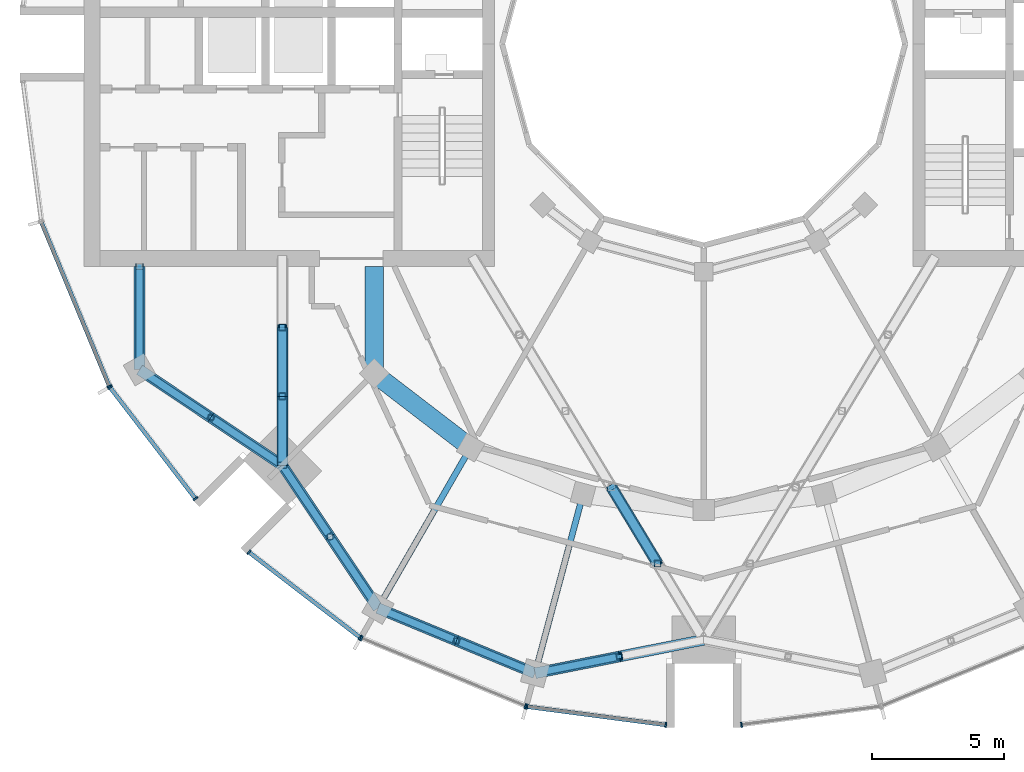
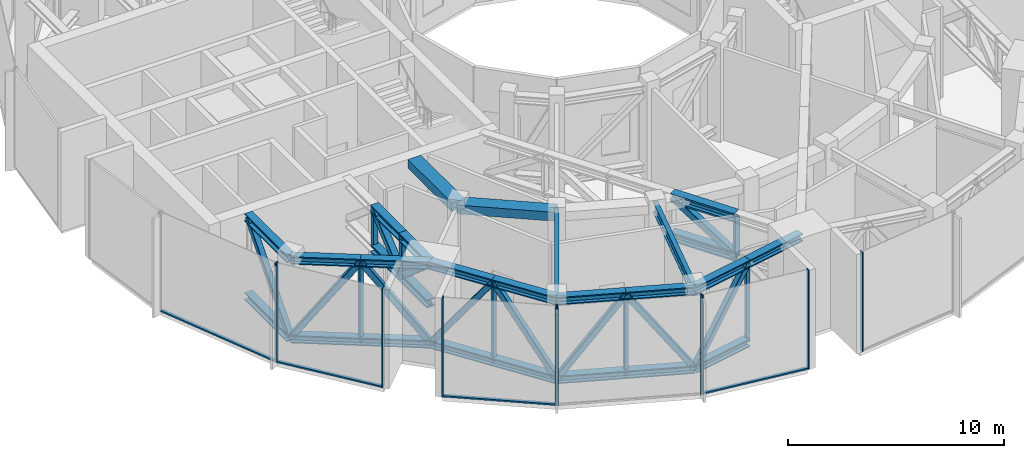
# One storey, part 2 of 18: 55 members, 4 beams, 6 elements without a shape of their own.
"""IFC4 building model written with IfcOpenShell, lengths in metres."""

from ifc_helpers import new_model, si_unit, direction, frame, origin, origin_2d, place, context, subcontext, project, spatial, rectangle, hollow_rectangle, i_section, extrude, material, layer, layer_set, material_profile, profile_set, type_object, element, aggregate, save


model = new_model("IFC4")

# Units and contexts
model_context = context("Model", 3, precision=1e-05, world=origin(), true_north=direction((0.0, 1.0)))
body_context = subcontext(model_context, "Body", "Model", "MODEL_VIEW")
ifc_project = project(units=[si_unit("LENGTHUNIT", "METRE"), si_unit("AREAUNIT", "SQUARE_METRE"), si_unit("VOLUMEUNIT", "CUBIC_METRE"), si_unit("PLANEANGLEUNIT", "RADIAN"), si_unit("MASSUNIT", "GRAM", prefix="KILO")], contexts=[model_context])

# Site, building, storey
site_placement = place(None, origin())
site = spatial("IfcSite", under=ifc_project, at=site_placement, CompositionType="ELEMENT")
building_placement = place(site_placement, origin())
building = spatial("IfcBuilding", under=site, at=building_placement, Name="Torre Brocal", CompositionType="ELEMENT")
storey_placement = place(building_placement, frame((0.0, 0.0, 206.89990234375)))
storey = spatial("IfcBuildingStorey", under=building, at=storey_placement, Name="L48", CompositionType="ELEMENT", Elevation=206.89990234375)

# Members
ifc_material_1 = material(Name="Steel A500 Grade C", Category="steel")
ifc_material_profile_1 = material_profile(ifc_material_1, hollow_rectangle(XDim=0.203125, YDim=0.203125, WallThickness=0.01171875, InnerFilletRadius=0.01171875, OuterFilletRadius=0.023681640625, at=origin_2d()), Name="HSS8X8X1/2")
ifc_profile_set_1 = profile_set([ifc_material_profile_1], Name="Steel A500 Grade C")
member_type_1 = type_object("IfcMemberType", Name="BELT 2 POST HSS8X8X1/2", PredefinedType="POST", material=ifc_profile_set_1)
for number, where, z_axis, x_axis, name in (
    (1, (61.392822265625, 60.89501953125, 0.6171875), (0.0, 0.0, 1.0), (1.0, 0.0, 0.0), "Member BT2-P11"),
    (2, (65.89501953125, 56.392822265625, 0.6171875), (0.0, 0.0, 1.0), (1.0, 0.0, 0.0), "Member BT2-P12"),
    (3, (70.66650390625, 52.467041015625, 0.6171875), (0.0, 0.0, 1.0), (1.0, 0.0, 0.0), "Member BT2-P13"),
    (4, (76.81640625, 51.869140625, 0.6171875), (0.0, 0.0, 1.0), (1.0, 0.0, 0.0), "Member BT2-P14"),
):
    element("IfcMember", number, at=place(storey_placement, frame(where, z_axis=z_axis, x_axis=x_axis)), inside=storey, type_object=member_type_1, Name=name, PredefinedType="POST", context=body_context, shape_type="SweptSolid", body=[
        extrude(hollow_rectangle(XDim=0.203125, YDim=0.203125, WallThickness=0.01171875, InnerFilletRadius=0.01171875, OuterFilletRadius=0.023681640625, at=origin_2d()), origin(), (0.0, 0.0, 1.0), 4.44580078125),
    ])

# Curtain wall, member
ifc_material_2 = material(Name="Aluminium and glass", Category="aluminium")
ifc_layer = layer(ifc_material_2, 0.199951171875)
ifc_layer_set = layer_set([ifc_layer], Name="Aluminium and glass")
curtain_wall_type = type_object("IfcCurtainWallType", Name="CW-1 CURTAIN WALL 5600 HIGH", PredefinedType="NOTDEFINED", material=ifc_layer_set)
curtain_wall_1_placement = place(storey_placement, origin())
curtain_wall_1 = element("IfcCurtainWall", 5, at=curtain_wall_1_placement, inside=storey, type_object=curtain_wall_type, Name="CW-1 RUN 14", PredefinedType="NOTDEFINED")
ifc_material_3 = material(Name="Aluminium, dark anodised", Category="aluminium")
ifc_material_profile_2 = material_profile(ifc_material_3, rectangle(XDim=0.199951171875, YDim=0.06005859375, at=origin_2d()), Name="CW-1 MULLION 60X200")
ifc_profile_set_2 = profile_set([ifc_material_profile_2], Name="Aluminium, dark anodised")
member_type_2 = type_object("IfcMemberType", Name="CW-1 MULLION 60X200", PredefinedType="MULLION", material=ifc_profile_set_2)
member_1_placement = place(storey_placement, frame((57.559326171875, 62.078125, 0.0), z_axis=(0.0, 0.0, 1.0), x_axis=(0.923879532525, 0.382683432333, 0.0)))
member_1 = element("IfcMember", 6, at=member_1_placement, type_object=member_type_2, Name="CW1-2 mullion 2", PredefinedType="MULLION", context=body_context, shape_type="SweptSolid", body=[
    extrude(rectangle(XDim=0.199951171875, YDim=0.06005859375, at=origin_2d()), origin(), (0.0, 0.0, 1.0), 5.60009765625),
])

# Curtain wall, members
curtain_wall_2_placement = place(storey_placement, origin())
curtain_wall_2 = element("IfcCurtainWall", 7, at=curtain_wall_2_placement, inside=storey, type_object=curtain_wall_type, Name="CW-1 RUN 15", PredefinedType="NOTDEFINED")
member_2_placement = place(storey_placement, frame((57.5888671875, 62.026611328125, 0.0), z_axis=(0.0, 0.0, 1.0), x_axis=(0.793353340259, 0.60876142905, 0.0)))
member_2 = element("IfcMember", 8, at=member_2_placement, type_object=member_type_2, Name="CW1-2 mullion 1", PredefinedType="MULLION", context=body_context, shape_type="SweptSolid", body=[
    extrude(rectangle(XDim=0.199951171875, YDim=0.06005859375, at=origin_2d()), origin(), (0.0, 0.0, 1.0), 5.60009765625),
])
member_3_placement = place(storey_placement, frame((60.80859375, 57.83056640625, 0.0), z_axis=(0.0, 0.0, 1.0), x_axis=(0.793353340259, 0.60876142905, 0.0)))
member_3 = element("IfcMember", 9, at=member_3_placement, type_object=member_type_2, Name="CW1-2 mullion 2", PredefinedType="MULLION", context=body_context, shape_type="SweptSolid", body=[
    extrude(rectangle(XDim=0.199951171875, YDim=0.06005859375, at=origin_2d()), origin(), (0.0, 0.0, 1.0), 5.60009765625),
])

curtain_wall_3_placement = place(storey_placement, origin())
curtain_wall_3 = element("IfcCurtainWall", 10, at=curtain_wall_3_placement, inside=storey, type_object=curtain_wall_type, Name="CW-1 RUN 16", PredefinedType="NOTDEFINED")
member_4_placement = place(storey_placement, frame((62.83056640625, 55.80859375, 0.0), z_axis=(0.0, 0.0, 1.0), x_axis=(0.60876142905, 0.793353340259, 0.0)))
member_4 = element("IfcMember", 11, at=member_4_placement, type_object=member_type_2, Name="CW1-2 mullion 1", PredefinedType="MULLION", context=body_context, shape_type="SweptSolid", body=[
    extrude(rectangle(XDim=0.199951171875, YDim=0.06005859375, at=origin_2d()), origin(), (0.0, 0.0, 1.0), 5.60009765625),
])
member_5_placement = place(storey_placement, frame((67.026611328125, 52.5888671875, 0.0), z_axis=(0.0, 0.0, 1.0), x_axis=(0.60876142905, 0.793353340259, 0.0)))
member_5 = element("IfcMember", 12, at=member_5_placement, type_object=member_type_2, Name="CW1-2 mullion 2", PredefinedType="MULLION", context=body_context, shape_type="SweptSolid", body=[
    extrude(rectangle(XDim=0.199951171875, YDim=0.06005859375, at=origin_2d()), origin(), (0.0, 0.0, 1.0), 5.60009765625),
])

curtain_wall_4_placement = place(storey_placement, origin())
curtain_wall_4 = element("IfcCurtainWall", 13, at=curtain_wall_4_placement, inside=storey, type_object=curtain_wall_type, Name="CW-1 RUN 17", PredefinedType="NOTDEFINED")
member_6_placement = place(storey_placement, frame((67.078125, 52.559326171875, 0.0), z_axis=(0.0, 0.0, 1.0), x_axis=(0.382683432333, 0.923879532525, 0.0)))
member_6 = element("IfcMember", 14, at=member_6_placement, type_object=member_type_2, Name="CW1-2 mullion 1", PredefinedType="MULLION", context=body_context, shape_type="SweptSolid", body=[
    extrude(rectangle(XDim=0.199951171875, YDim=0.06005859375, at=origin_2d()), origin(), (0.0, 0.0, 1.0), 5.60009765625),
])
member_7_placement = place(storey_placement, frame((73.26904296875, 49.994873046875, 0.0), z_axis=(0.0, 0.0, 1.0), x_axis=(0.382683432333, 0.923879532525, 0.0)))
member_7 = element("IfcMember", 15, at=member_7_placement, type_object=member_type_2, Name="CW1-2 mullion 2", PredefinedType="MULLION", context=body_context, shape_type="SweptSolid", body=[
    extrude(rectangle(XDim=0.199951171875, YDim=0.06005859375, at=origin_2d()), origin(), (0.0, 0.0, 1.0), 5.60009765625),
])
aggregate(curtain_wall_4, [member_6, member_7])

curtain_wall_5_placement = place(storey_placement, origin())
curtain_wall_5 = element("IfcCurtainWall", 16, at=curtain_wall_5_placement, inside=storey, type_object=curtain_wall_type, Name="CW-1 RUN 18", PredefinedType="NOTDEFINED")
member_8_placement = place(storey_placement, frame((73.32666015625, 49.9794921875, 0.0), z_axis=(0.0, 0.0, 1.0), x_axis=(0.13052619222, 0.991444861374, 0.0)))
member_8 = element("IfcMember", 17, at=member_8_placement, type_object=member_type_2, Name="CW1-2 mullion 1", PredefinedType="MULLION", context=body_context, shape_type="SweptSolid", body=[
    extrude(rectangle(XDim=0.199951171875, YDim=0.06005859375, at=origin_2d()), origin(), (0.0, 0.0, 1.0), 5.60009765625),
])
member_9_placement = place(storey_placement, frame((78.5703125, 49.2890625, 0.0), z_axis=(0.0, 0.0, 1.0), x_axis=(0.13052619222, 0.991444861374, 0.0)))
member_9 = element("IfcMember", 18, at=member_9_placement, type_object=member_type_2, Name="CW1-2 mullion 2", PredefinedType="MULLION", context=body_context, shape_type="SweptSolid", body=[
    extrude(rectangle(XDim=0.199951171875, YDim=0.06005859375, at=origin_2d()), origin(), (0.0, 0.0, 1.0), 5.60009765625),
])

# Curtain wall, member
curtain_wall_6_placement = place(storey_placement, origin())
curtain_wall_6 = element("IfcCurtainWall", 19, at=curtain_wall_6_placement, inside=storey, type_object=curtain_wall_type, Name="CW-1 RUN 19", PredefinedType="NOTDEFINED")
member_10_placement = place(storey_placement, frame((81.4296875, 49.2890625, 0.0), z_axis=(0.0, 0.0, 1.0), x_axis=(-0.13052619222, 0.991444861374, 0.0)))
member_10 = element("IfcMember", 20, at=member_10_placement, type_object=member_type_2, Name="CW1-2 mullion 1", PredefinedType="MULLION", context=body_context, shape_type="SweptSolid", body=[
    extrude(rectangle(XDim=0.199951171875, YDim=0.06005859375, at=origin_2d()), origin(), (0.0, 0.0, 1.0), 5.60009765625),
])
aggregate(curtain_wall_6, [member_10])

# Member
ifc_material_4 = material(Name="Aluminium, dark anodised", Category="aluminium")
ifc_material_profile_3 = material_profile(ifc_material_4, rectangle(XDim=0.159912109375, YDim=0.080078125, at=origin_2d()), Name="CW-1 TRANSOM 160X80")
ifc_profile_set_3 = profile_set([ifc_material_profile_3], Name="Aluminium, dark anodised")
member_type_3 = type_object("IfcMemberType", Name="CW-1 TRANSOM 160X80", PredefinedType="USERDEFINED", material=ifc_profile_set_3)
member_11_placement = place(storey_placement, frame((55.00634765625, 68.241455078125, 0.0400390625), z_axis=(0.38266457234, -0.923887344364, 0.0), x_axis=(0.923887344364, 0.38266457234, 0.0)))
member_11 = element("IfcMember", 21, at=member_11_placement, type_object=member_type_3, Name="CW1-2 transom 1.1", ObjectType="TRANSOM", PredefinedType="USERDEFINED", context=body_context, shape_type="SweptSolid", body=[
    extrude(rectangle(XDim=0.159912109375, YDim=0.080078125, at=origin_2d()), origin(), (0.0, 0.0, 1.0), 6.640869140625),
])

aggregate(curtain_wall_1, [member_1, member_11])

member_12_placement = place(storey_placement, frame((57.607177734375, 62.0029296875, 0.0400390625), z_axis=(0.60874908096, -0.79336281513, 0.0), x_axis=(0.79336281513, 0.60874908096, 0.0)))
member_12 = element("IfcMember", 22, at=member_12_placement, type_object=member_type_3, Name="CW1-2 transom 1.1", ObjectType="TRANSOM", PredefinedType="USERDEFINED", context=body_context, shape_type="SweptSolid", body=[
    extrude(rectangle(XDim=0.159912109375, YDim=0.080078125, at=origin_2d()), origin(), (0.0, 0.0, 1.0), 5.22900390625),
])

aggregate(curtain_wall_2, [member_2, member_3, member_12])

member_13_placement = place(storey_placement, frame((62.8544921875, 55.790283203125, 0.0400390625), z_axis=(0.79336281513, -0.60874908096, 0.0), x_axis=(0.60874908096, 0.79336281513, 0.0)))
member_13 = element("IfcMember", 23, at=member_13_placement, type_object=member_type_3, Name="CW1-2 transom 1.1", ObjectType="TRANSOM", PredefinedType="USERDEFINED", context=body_context, shape_type="SweptSolid", body=[
    extrude(rectangle(XDim=0.159912109375, YDim=0.080078125, at=origin_2d()), origin(), (0.0, 0.0, 1.0), 5.22900390625),
])

aggregate(curtain_wall_3, [member_4, member_5, member_13])

member_14_placement = place(storey_placement, frame((73.356201171875, 49.9755859375, 0.0400390625), z_axis=(0.991442690863, -0.130542677827, 0.0), x_axis=(0.130542677827, 0.991442690863, 0.0)))
member_14 = element("IfcMember", 24, at=member_14_placement, type_object=member_type_3, Name="CW1-2 transom 1.1", ObjectType="TRANSOM", PredefinedType="USERDEFINED", context=body_context, shape_type="SweptSolid", body=[
    extrude(rectangle(XDim=0.159912109375, YDim=0.080078125, at=origin_2d()), origin(), (0.0, 0.0, 1.0), 5.22900390625),
])

aggregate(curtain_wall_5, [member_8, member_9, member_14])

# Members
ifc_material_5 = material(Name="Steel A500 Grade C", Category="steel")
ifc_material_profile_4 = material_profile(ifc_material_5, hollow_rectangle(XDim=0.25390625, YDim=0.25390625, WallThickness=0.01171875, InnerFilletRadius=0.01171875, OuterFilletRadius=0.023681640625, at=origin_2d()), Name="HSS10X10X1/2")
ifc_profile_set_4 = profile_set([ifc_material_profile_4], Name="Steel A500 Grade C")
member_type_4 = type_object("IfcMemberType", Name="OUTRIGGER 2 POST HSS10X10X1/2", PredefinedType="POST", material=ifc_profile_set_4)
for number, where, z_axis, x_axis, name in (
    (25, (64.090087890625, 64.296630859375, 2.83251953125), (0.0, 0.0, 1.0), (1.0, 0.0, 0.0), "Member OT2-P13"),
    (26, (64.090087890625, 61.693359375, 2.83251953125), (0.0, 0.0, 1.0), (1.0, 0.0, 0.0), "Member OT2-P14"),
):
    element("IfcMember", number, at=place(storey_placement, frame(where, z_axis=z_axis, x_axis=x_axis)), inside=storey, type_object=member_type_4, Name=name, PredefinedType="POST", context=body_context, shape_type="SweptSolid", body=[
        extrude(hollow_rectangle(XDim=0.25390625, YDim=0.25390625, WallThickness=0.01171875, InnerFilletRadius=0.01171875, OuterFilletRadius=0.023681640625, at=origin_2d()), origin(), (0.0, 0.0, 1.0), 2.215087890625),
    ])
member_15_placement = place(storey_placement, frame((78.260009765625, 55.3798828125, 2.848876953125), z_axis=(0.0, 0.0, 1.0), x_axis=(1.0, 0.0, 0.0)))
element("IfcMember", 27, at=member_15_placement, inside=storey, type_object=member_type_4, Name="Member OT2-P22", PredefinedType="POST", context=body_context, shape_type="SweptSolid", body=[
    extrude(hollow_rectangle(XDim=0.25390625, YDim=0.25390625, WallThickness=0.01171875, InnerFilletRadius=0.01171875, OuterFilletRadius=0.023681640625, at=origin_2d()), origin(), (0.0, 0.0, 1.0), 2.182373046875),
])

# Beams
ifc_material_6 = material(Name="Steel A992", Category="steel")
ifc_material_profile_5 = material_profile(ifc_material_6, i_section(OverallWidth=0.22900390625, OverallDepth=0.612060546875, WebThickness=0.011962890625, FlangeThickness=0.01953125, at=origin_2d()), Name="W24X84")
ifc_profile_set_5 = profile_set([ifc_material_profile_5], Name="Steel A992")
beam_type_1 = type_object("IfcBeamType", Name="PLANT FLOOR BEAM TOP 5280 W24X84", PredefinedType="BEAM", material=ifc_profile_set_5)
for number, where, z_axis, x_axis, name in (
    (28, (71.199951171875, 59.758056640625, 4.97412109375), (-0.499995173006, -0.866028190633, 0.0), (0.866028190633, -0.499995173006, 0.0), "Beam SF-02"),
    (29, (75.44482421875, 57.999755859375, 4.97412109375), (-0.258823832372, -0.965924543531, 0.0), (0.965924543531, -0.258823832372, 0.0), "Beam SF-02"),
):
    element("IfcBeam", number, at=place(storey_placement, frame(where, z_axis=z_axis, x_axis=x_axis)), inside=storey, type_object=beam_type_1, Name=name, PredefinedType="BEAM", context=body_context, shape_type="SweptSolid", body=[
        extrude(i_section(OverallWidth=0.22900390625, OverallDepth=0.612060546875, WebThickness=0.011962890625, FlangeThickness=0.01953125, at=origin_2d()), origin(), (0.0, 0.0, 1.0), 7.0),
    ])
ifc_material_7 = material(Name="Concrete C50", Category="concrete")
ifc_material_profile_6 = material_profile(ifc_material_7, rectangle(XDim=0.699951171875, YDim=0.5, at=origin_2d()), Name="RC 700X500")
ifc_profile_set_6 = profile_set([ifc_material_profile_6], Name="Concrete C50")
beam_type_2 = type_object("IfcBeamType", Name="RC BEAM 700X500 C50 TOP 5280", PredefinedType="BEAM", material=ifc_profile_set_6)
beam_1_placement = place(storey_placement, frame((67.554931640625, 62.554931640625, 5.030029296875), z_axis=(0.0, 1.0, 0.0), x_axis=(-1.0, 0.0, 0.0)))
element("IfcBeam", 30, at=beam_1_placement, inside=storey, type_object=beam_type_2, Name="Beam BT-36", PredefinedType="BEAM", context=body_context, shape_type="SweptSolid", body=[
    extrude(rectangle(XDim=0.699951171875, YDim=0.5, at=origin_2d()), origin(), (0.0, 0.0, 1.0), 4.045166015625),
])
beam_2_placement = place(storey_placement, frame((67.554931640625, 62.554931640625, 5.030029296875), z_axis=(0.793358265959, -0.6087550097, 0.0), x_axis=(0.6087550097, 0.793358265959, 0.0)))
element("IfcBeam", 31, at=beam_2_placement, inside=storey, type_object=beam_type_2, Name="Beam BT-36", PredefinedType="BEAM", context=body_context, shape_type="SweptSolid", body=[
    extrude(rectangle(XDim=0.699951171875, YDim=0.5, at=origin_2d()), origin(), (0.0, 0.0, 1.0), 4.594482421875),
])

# Members
ifc_material_8 = material(Name="Steel A992", Category="steel")
ifc_material_profile_7 = material_profile(ifc_material_8, i_section(OverallWidth=0.41162109375, OverallDepth=0.434326171875, WebThickness=0.035888671875, FlangeThickness=0.057373046875, at=origin_2d()), Name="W14X311")
ifc_profile_set_7 = profile_set([ifc_material_profile_7], Name="Steel A992")
member_type_5 = type_object("IfcMemberType", Name="TRUSS BOTTOM CHORD W14X311", PredefinedType="CHORD", material=ifc_profile_set_7)
member_16_placement = place(storey_placement, frame((58.69580078125, 62.699951171875, 0.6171875), z_axis=(0.0, 1.0, 0.0), x_axis=(-1.0, 0.0, 0.0)))
element("IfcMember", 32, at=member_16_placement, inside=storey, type_object=member_type_5, Name="Member BT2-C36", PredefinedType="CHORD", context=body_context, shape_type="SweptSolid", body=[
    extrude(i_section(OverallWidth=0.41162109375, OverallDepth=0.434326171875, WebThickness=0.035888671875, FlangeThickness=0.057373046875, at=origin_2d()), origin(), (0.0, 0.0, 1.0), 3.900146484375),
])
for number, where, z_axis, x_axis, name in (
    (33, (58.69580078125, 62.699951171875, 0.6171875), (0.831065209559, -0.556174988166, 0.0), (0.556174988166, 0.831065209559, 0.0), "Member BT2-C38"),
    (34, (61.392822265625, 60.89501953125, 0.6171875), (0.831088478302, -0.556140217242, 0.0), (0.556140217242, 0.831088478302, 0.0), "Member BT2-C40"),
    (35, (64.090087890625, 59.090087890625, 0.6171875), (0.556140217242, -0.831088478302, 0.0), (0.831088478302, 0.556140217242, 0.0), "Member BT2-C42"),
    (36, (65.89501953125, 56.392822265625, 0.6171875), (0.556174988166, -0.831065209559, 0.0), (0.831065209559, 0.556174988166, 0.0), "Member BT2-C44"),
):
    element("IfcMember", number, at=place(storey_placement, frame(where, z_axis=z_axis, x_axis=x_axis)), inside=storey, type_object=member_type_5, Name=name, PredefinedType="CHORD", context=body_context, shape_type="SweptSolid", body=[
        extrude(i_section(OverallWidth=0.41162109375, OverallDepth=0.434326171875, WebThickness=0.035888671875, FlangeThickness=0.057373046875, at=origin_2d()), origin(), (0.0, 0.0, 1.0), 3.245361328125),
    ])
for number, where, z_axis, x_axis, name in (
    (37, (67.699951171875, 53.69580078125, 0.6171875), (0.923882462513, -0.382676358639, 0.0), (0.382676358639, 0.923882462513, 0.0), "Member BT2-C46"),
    (38, (70.66650390625, 52.467041015625, 0.6171875), (0.923882462513, -0.382676358639, 0.0), (0.382676358639, 0.923882462513, 0.0), "Member BT2-C48"),
):
    element("IfcMember", number, at=place(storey_placement, frame(where, z_axis=z_axis, x_axis=x_axis)), inside=storey, type_object=member_type_5, Name=name, PredefinedType="CHORD", context=body_context, shape_type="SweptSolid", body=[
        extrude(i_section(OverallWidth=0.41162109375, OverallDepth=0.434326171875, WebThickness=0.035888671875, FlangeThickness=0.057373046875, at=origin_2d()), origin(), (0.0, 0.0, 1.0), 3.2109375),
    ])
member_17_placement = place(storey_placement, frame((73.633056640625, 51.23828125, 0.6171875), z_axis=(0.980923486126, 0.194394224108, 0.0), x_axis=(-0.194394224108, 0.980923486126, 0.0)))
element("IfcMember", 39, at=member_17_placement, inside=storey, type_object=member_type_5, Name="Member BT2-C50", PredefinedType="CHORD", context=body_context, shape_type="SweptSolid", body=[
    extrude(i_section(OverallWidth=0.41162109375, OverallDepth=0.434326171875, WebThickness=0.035888671875, FlangeThickness=0.057373046875, at=origin_2d()), origin(), (0.0, 0.0, 1.0), 3.245361328125),
])
ifc_material_9 = material(Name="Steel A992", Category="steel")
ifc_material_profile_8 = material_profile(ifc_material_9, i_section(OverallWidth=0.421630859375, OverallDepth=0.46484375, WebThickness=0.044921875, FlangeThickness=0.072509765625, at=origin_2d()), Name="W14X398")
ifc_profile_set_8 = profile_set([ifc_material_profile_8], Name="Steel A992")
member_type_6 = type_object("IfcMemberType", Name="TRUSS BOTTOM CHORD W14X398", PredefinedType="CHORD", material=ifc_profile_set_8)
for number, where, z_axis, x_axis, name in (
    (40, (64.090087890625, 64.296630859375, 2.83251953125), (0.0, -1.0, 0.0), (1.0, 0.0, 0.0), "Member OT2-C36"),
    (41, (64.090087890625, 61.693359375, 2.83251953125), (0.0, -1.0, 0.0), (1.0, 0.0, 0.0), "Member OT2-C38"),
):
    element("IfcMember", number, at=place(storey_placement, frame(where, z_axis=z_axis, x_axis=x_axis)), inside=storey, type_object=member_type_6, Name=name, PredefinedType="CHORD", context=body_context, shape_type="SweptSolid", body=[
        extrude(i_section(OverallWidth=0.421630859375, OverallDepth=0.46484375, WebThickness=0.044921875, FlangeThickness=0.072509765625, at=origin_2d()), origin(), (0.0, 0.0, 1.0), 2.603271484375),
    ])
ifc_material_10 = material(Name="Steel A992", Category="steel")
ifc_material_profile_9 = material_profile(ifc_material_10, i_section(OverallWidth=0.431884765625, OverallDepth=0.497802734375, WebThickness=0.0556640625, FlangeThickness=0.0888671875, at=origin_2d()), Name="W14X500")
ifc_profile_set_9 = profile_set([ifc_material_profile_9], Name="Steel A992")
member_type_7 = type_object("IfcMemberType", Name="TRUSS BOTTOM CHORD W14X500", PredefinedType="CHORD", material=ifc_profile_set_9)
member_18_placement = place(storey_placement, frame((76.52001953125, 58.260009765625, 2.848876953125), z_axis=(0.517096814817, -0.855926915167, 0.0), x_axis=(0.855926915167, 0.517096814817, 0.0)))
element("IfcMember", 42, at=member_18_placement, inside=storey, type_object=member_type_7, Name="Member OT2-C56", PredefinedType="CHORD", context=body_context, shape_type="SweptSolid", body=[
    extrude(i_section(OverallWidth=0.431884765625, OverallDepth=0.497802734375, WebThickness=0.0556640625, FlangeThickness=0.0888671875, at=origin_2d()), origin(), (0.0, 0.0, 1.0), 3.364990234375),
])
ifc_material_11 = material(Name="Steel A500 Grade C", Category="steel")
ifc_material_profile_10 = material_profile(ifc_material_11, hollow_rectangle(XDim=0.3046875, YDim=0.3046875, WallThickness=0.014892578125, InnerFilletRadius=0.014892578125, OuterFilletRadius=0.029541015625, at=origin_2d()), Name="HSS12X12X5/8")
ifc_profile_set_10 = profile_set([ifc_material_profile_10], Name="Steel A500 Grade C")
member_type_8 = type_object("IfcMemberType", Name="TRUSS DIAGONAL HSS12X12X5/8", PredefinedType="BRACE", material=ifc_profile_set_10)
member_19_placement = place(storey_placement, frame((58.69580078125, 62.699951171875, 0.6171875), z_axis=(0.0, 0.659468514834, 0.751732184985), x_axis=(-1.0, 0.0, 0.0)))
element("IfcMember", 43, at=member_19_placement, inside=storey, type_object=member_type_8, Name="Member BT2-D18", PredefinedType="BRACE", context=body_context, shape_type="SweptSolid", body=[
    extrude(hollow_rectangle(XDim=0.3046875, YDim=0.3046875, WallThickness=0.014892578125, InnerFilletRadius=0.014892578125, OuterFilletRadius=0.029541015625, at=origin_2d()), origin(), (0.0, 0.0, 1.0), 5.9140625),
])
member_20_placement = place(storey_placement, frame((58.69580078125, 62.699951171875, 0.6171875), z_axis=(0.489988270821, -0.327915568587, 0.807702218851), x_axis=(0.556174988166, 0.831065209559, 0.0)))
element("IfcMember", 44, at=member_20_placement, inside=storey, type_object=member_type_8, Name="Member BT2-D19", PredefinedType="BRACE", context=body_context, shape_type="SweptSolid", body=[
    extrude(hollow_rectangle(XDim=0.3046875, YDim=0.3046875, WallThickness=0.014892578125, InnerFilletRadius=0.014892578125, OuterFilletRadius=0.029541015625, at=origin_2d()), origin(), (0.0, 0.0, 1.0), 5.504150390625),
])
for number, where, z_axis, x_axis, name in (
    (45, (61.392822265625, 60.89501953125, 5.06298828125), (0.490021975499, -0.327908441787, -0.80768466454), (0.556140217242, 0.831088478302, 0.0), "Member BT2-D20"),
    (46, (64.090087890625, 59.090087890625, 0.6171875), (0.327908441787, -0.490021975499, 0.80768466454), (0.831088478302, 0.556140217242, 0.0), "Member BT2-D21"),
):
    element("IfcMember", number, at=place(storey_placement, frame(where, z_axis=z_axis, x_axis=x_axis)), inside=storey, type_object=member_type_8, Name=name, PredefinedType="BRACE", context=body_context, shape_type="SweptSolid", body=[
        extrude(hollow_rectangle(XDim=0.3046875, YDim=0.3046875, WallThickness=0.014892578125, InnerFilletRadius=0.014892578125, OuterFilletRadius=0.029541015625, at=origin_2d()), origin(), (0.0, 0.0, 1.0), 5.50439453125),
    ])
member_21_placement = place(storey_placement, frame((65.89501953125, 56.392822265625, 5.06298828125), z_axis=(0.327915568587, -0.489988270821, -0.807702218851), x_axis=(0.831065209559, 0.556174988166, 0.0)))
element("IfcMember", 47, at=member_21_placement, inside=storey, type_object=member_type_8, Name="Member BT2-D22", PredefinedType="BRACE", context=body_context, shape_type="SweptSolid", body=[
    extrude(hollow_rectangle(XDim=0.3046875, YDim=0.3046875, WallThickness=0.014892578125, InnerFilletRadius=0.014892578125, OuterFilletRadius=0.029541015625, at=origin_2d()), origin(), (0.0, 0.0, 1.0), 5.504150390625),
])
for number, where, z_axis, x_axis, name in (
    (48, (67.699951171875, 53.69580078125, 0.6171875), (0.540936327558, -0.22405831097, 0.810669946904), (0.382676358639, 0.923882462513, 0.0), "Member BT2-D23"),
    (49, (70.66650390625, 52.467041015625, 5.06298828125), (0.540936327558, -0.22405831097, -0.810669946904), (0.382676358639, 0.923882462513, 0.0), "Member BT2-D24"),
):
    element("IfcMember", number, at=place(storey_placement, frame(where, z_axis=z_axis, x_axis=x_axis)), inside=storey, type_object=member_type_8, Name=name, PredefinedType="BRACE", context=body_context, shape_type="SweptSolid", body=[
        extrude(hollow_rectangle(XDim=0.3046875, YDim=0.3046875, WallThickness=0.014892578125, InnerFilletRadius=0.014892578125, OuterFilletRadius=0.029541015625, at=origin_2d()), origin(), (0.0, 0.0, 1.0), 5.484130859375),
    ])
member_22_placement = place(storey_placement, frame((73.633056640625, 51.23828125, 0.6171875), z_axis=(0.578343221896, 0.114612998342, 0.807702283207), x_axis=(-0.194394224108, 0.980923486126, 0.0)))
element("IfcMember", 50, at=member_22_placement, inside=storey, type_object=member_type_8, Name="Member BT2-D25", PredefinedType="BRACE", context=body_context, shape_type="SweptSolid", body=[
    extrude(hollow_rectangle(XDim=0.3046875, YDim=0.3046875, WallThickness=0.014892578125, InnerFilletRadius=0.014892578125, OuterFilletRadius=0.029541015625, at=origin_2d()), origin(), (0.0, 0.0, 1.0), 5.504150390625),
])
ifc_material_12 = material(Name="Steel A500 Grade C", Category="steel")
ifc_material_profile_11 = material_profile(ifc_material_12, hollow_rectangle(XDim=0.355712890625, YDim=0.355712890625, WallThickness=0.014892578125, InnerFilletRadius=0.014892578125, OuterFilletRadius=0.029541015625, at=origin_2d()), Name="HSS14X14X5/8")
ifc_profile_set_11 = profile_set([ifc_material_profile_11], Name="Steel A500 Grade C")
member_type_9 = type_object("IfcMemberType", Name="TRUSS DIAGONAL HSS14X14X5/8", PredefinedType="BRACE", material=ifc_profile_set_11)
for number, where, z_axis, x_axis, name in (
    (51, (64.090087890625, 64.296630859375, 5.047607421875), (0.0, -0.761606141617, -0.648040187836), (1.0, 0.0, 0.0), "Member OT2-D18"),
    (52, (64.090087890625, 61.693359375, 2.83251953125), (0.0, -0.761606141617, 0.648040187836), (1.0, 0.0, 0.0), "Member OT2-D19"),
):
    element("IfcMember", number, at=place(storey_placement, frame(where, z_axis=z_axis, x_axis=x_axis)), inside=storey, type_object=member_type_9, Name=name, PredefinedType="BRACE", context=body_context, shape_type="SweptSolid", body=[
        extrude(hollow_rectangle(XDim=0.355712890625, YDim=0.355712890625, WallThickness=0.014892578125, InnerFilletRadius=0.014892578125, OuterFilletRadius=0.029541015625, at=origin_2d()), origin(), (0.0, 0.0, 1.0), 3.418212890625),
    ])
member_23_placement = place(storey_placement, frame((76.52001953125, 58.260009765625, 5.03125), z_axis=(0.433840619359, -0.718116709216, -0.544142177137), x_axis=(0.855926915167, 0.517096814817, 0.0)))
element("IfcMember", 53, at=member_23_placement, inside=storey, type_object=member_type_9, Name="Member OT2-D28", PredefinedType="BRACE", context=body_context, shape_type="SweptSolid", body=[
    extrude(hollow_rectangle(XDim=0.355712890625, YDim=0.355712890625, WallThickness=0.014892578125, InnerFilletRadius=0.014892578125, OuterFilletRadius=0.029541015625, at=origin_2d()), origin(), (0.0, 0.0, 1.0), 4.0107421875),
])
ifc_material_13 = material(Name="Steel A992", Category="steel")
ifc_material_profile_12 = material_profile(ifc_material_13, i_section(OverallWidth=0.41162109375, OverallDepth=0.434326171875, WebThickness=0.035888671875, FlangeThickness=0.057373046875, at=origin_2d()), Name="W14X311")
ifc_profile_set_12 = profile_set([ifc_material_profile_12], Name="Steel A992")
member_type_10 = type_object("IfcMemberType", Name="TRUSS TOP CHORD W14X311", PredefinedType="CHORD", material=ifc_profile_set_12)
member_24_placement = place(storey_placement, frame((58.69580078125, 62.699951171875, 5.06298828125), z_axis=(0.0, 1.0, 0.0), x_axis=(-1.0, 0.0, 0.0)))
element("IfcMember", 54, at=member_24_placement, inside=storey, type_object=member_type_10, Name="Member BT2-C35", PredefinedType="CHORD", context=body_context, shape_type="SweptSolid", body=[
    extrude(i_section(OverallWidth=0.41162109375, OverallDepth=0.434326171875, WebThickness=0.035888671875, FlangeThickness=0.057373046875, at=origin_2d()), origin(), (0.0, 0.0, 1.0), 3.900146484375),
])
for number, where, z_axis, x_axis, name in (
    (55, (58.69580078125, 62.699951171875, 5.06298828125), (0.831065209559, -0.556174988166, 0.0), (0.556174988166, 0.831065209559, 0.0), "Member BT2-C37"),
    (56, (61.392822265625, 60.89501953125, 5.06298828125), (0.831088478302, -0.556140217242, 0.0), (0.556140217242, 0.831088478302, 0.0), "Member BT2-C39"),
    (57, (64.090087890625, 59.090087890625, 5.06298828125), (0.556140217242, -0.831088478302, 0.0), (0.831088478302, 0.556140217242, 0.0), "Member BT2-C41"),
    (58, (65.89501953125, 56.392822265625, 5.06298828125), (0.556174988166, -0.831065209559, 0.0), (0.831065209559, 0.556174988166, 0.0), "Member BT2-C43"),
):
    element("IfcMember", number, at=place(storey_placement, frame(where, z_axis=z_axis, x_axis=x_axis)), inside=storey, type_object=member_type_10, Name=name, PredefinedType="CHORD", context=body_context, shape_type="SweptSolid", body=[
        extrude(i_section(OverallWidth=0.41162109375, OverallDepth=0.434326171875, WebThickness=0.035888671875, FlangeThickness=0.057373046875, at=origin_2d()), origin(), (0.0, 0.0, 1.0), 3.245361328125),
    ])
for number, where, z_axis, x_axis, name in (
    (59, (67.699951171875, 53.69580078125, 5.06298828125), (0.923882462513, -0.382676358639, 0.0), (0.382676358639, 0.923882462513, 0.0), "Member BT2-C45"),
    (60, (70.66650390625, 52.467041015625, 5.06298828125), (0.923882462513, -0.382676358639, 0.0), (0.382676358639, 0.923882462513, 0.0), "Member BT2-C47"),
):
    element("IfcMember", number, at=place(storey_placement, frame(where, z_axis=z_axis, x_axis=x_axis)), inside=storey, type_object=member_type_10, Name=name, PredefinedType="CHORD", context=body_context, shape_type="SweptSolid", body=[
        extrude(i_section(OverallWidth=0.41162109375, OverallDepth=0.434326171875, WebThickness=0.035888671875, FlangeThickness=0.057373046875, at=origin_2d()), origin(), (0.0, 0.0, 1.0), 3.2109375),
    ])
member_25_placement = place(storey_placement, frame((73.633056640625, 51.23828125, 5.06298828125), z_axis=(0.980923486126, 0.194394224108, 0.0), x_axis=(-0.194394224108, 0.980923486126, 0.0)))
element("IfcMember", 61, at=member_25_placement, inside=storey, type_object=member_type_10, Name="Member BT2-C49", PredefinedType="CHORD", context=body_context, shape_type="SweptSolid", body=[
    extrude(i_section(OverallWidth=0.41162109375, OverallDepth=0.434326171875, WebThickness=0.035888671875, FlangeThickness=0.057373046875, at=origin_2d()), origin(), (0.0, 0.0, 1.0), 3.245361328125),
])
member_26_placement = place(storey_placement, frame((76.81640625, 51.869140625, 5.06298828125), z_axis=(0.980926328685, 0.194379879856, 0.0), x_axis=(-0.194379879856, 0.980926328685, 0.0)))
element("IfcMember", 62, at=member_26_placement, inside=storey, type_object=member_type_10, Name="Member BT2-C51", PredefinedType="CHORD", context=body_context, shape_type="SweptSolid", body=[
    extrude(i_section(OverallWidth=0.41162109375, OverallDepth=0.434326171875, WebThickness=0.035888671875, FlangeThickness=0.057373046875, at=origin_2d()), origin(), (0.0, 0.0, 1.0), 3.24560546875),
])
ifc_material_14 = material(Name="Steel A992", Category="steel")
ifc_material_profile_13 = material_profile(ifc_material_14, i_section(OverallWidth=0.421630859375, OverallDepth=0.46484375, WebThickness=0.044921875, FlangeThickness=0.072509765625, at=origin_2d()), Name="W14X398")
ifc_profile_set_13 = profile_set([ifc_material_profile_13], Name="Steel A992")
member_type_11 = type_object("IfcMemberType", Name="TRUSS TOP CHORD W14X398", PredefinedType="CHORD", material=ifc_profile_set_13)
for number, where, z_axis, x_axis, name in (
    (63, (64.090087890625, 64.296630859375, 5.047607421875), (0.0, -1.0, 0.0), (1.0, 0.0, 0.0), "Member OT2-C35"),
    (64, (64.090087890625, 61.693359375, 5.047607421875), (0.0, -1.0, 0.0), (1.0, 0.0, 0.0), "Member OT2-C37"),
):
    element("IfcMember", number, at=place(storey_placement, frame(where, z_axis=z_axis, x_axis=x_axis)), inside=storey, type_object=member_type_11, Name=name, PredefinedType="CHORD", context=body_context, shape_type="SweptSolid", body=[
        extrude(i_section(OverallWidth=0.421630859375, OverallDepth=0.46484375, WebThickness=0.044921875, FlangeThickness=0.072509765625, at=origin_2d()), origin(), (0.0, 0.0, 1.0), 2.603271484375),
    ])
ifc_material_15 = material(Name="Steel A992", Category="steel")
ifc_material_profile_14 = material_profile(ifc_material_15, i_section(OverallWidth=0.431884765625, OverallDepth=0.497802734375, WebThickness=0.0556640625, FlangeThickness=0.0888671875, at=origin_2d()), Name="W14X500")
ifc_profile_set_14 = profile_set([ifc_material_profile_14], Name="Steel A992")
member_type_12 = type_object("IfcMemberType", Name="TRUSS TOP CHORD W14X500", PredefinedType="CHORD", material=ifc_profile_set_14)
member_27_placement = place(storey_placement, frame((76.52001953125, 58.260009765625, 5.03125), z_axis=(0.517096814817, -0.855926915167, 0.0), x_axis=(0.855926915167, 0.517096814817, 0.0)))
element("IfcMember", 65, at=member_27_placement, inside=storey, type_object=member_type_12, Name="Member OT2-C55", PredefinedType="CHORD", context=body_context, shape_type="SweptSolid", body=[
    extrude(i_section(OverallWidth=0.431884765625, OverallDepth=0.497802734375, WebThickness=0.0556640625, FlangeThickness=0.0888671875, at=origin_2d()), origin(), (0.0, 0.0, 1.0), 3.364990234375),
])

save(model, "model.ifc")
